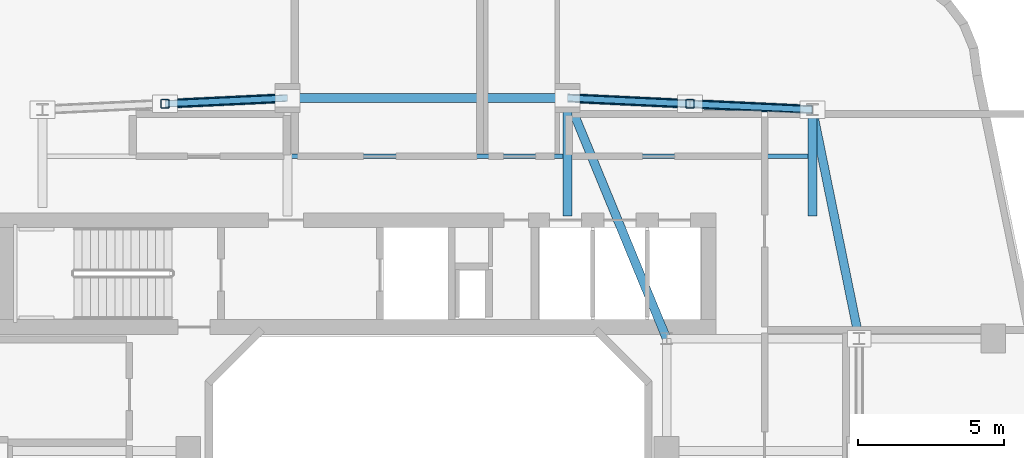
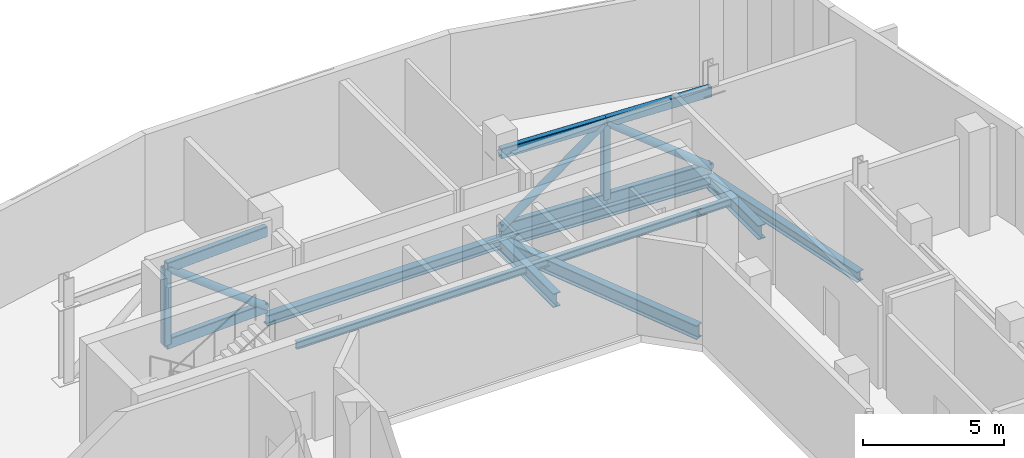
# One storey, part 5 of 18: 11 members, 8 beams.
"""IFC4 building model written with IfcOpenShell, lengths in metres."""

import ifcopenshell
import ifcopenshell.guid

model = None  # the IFC model being written
_history = None  # IfcOwnerHistory: only IFC2X3 demands one
_inside = {}  # id of a spatial element -> (the spatial element, [elements in it])
_under = {}  # id of a project, library or spatial element -> (it, [spatial elements below it])
_declared = {}  # id of a project -> (the project, [libraries it declares])
_typed = {}  # id of a type object -> (the type object, [elements of that type])
_made_of = {}  # id of a material, layer set ... -> (it, [elements and type objects made of it])


def new_model(schema):
    """Start an empty IFC model of exactly this schema.

    Asked for "IFC4X3", IfcOpenShell would pick the latest addendum, in which some entities
    have other attributes; the version numbers below select the first issue.
    IFC2X3 requires an IfcOwnerHistory on every rooted entity: one is made here for all.
    """
    global model, _history
    if schema == "IFC4X3":
        model = ifcopenshell.file(schema_version=(4, 3, 0, 0))
    else:
        model = ifcopenshell.file(schema=schema)
    _inside.clear()
    _under.clear()
    _declared.clear()
    _typed.clear()
    _made_of.clear()
    _history = None
    if model.schema == "IFC2X3":
        org = make("IfcOrganization", Name="unknown")
        user = make(
            "IfcPersonAndOrganization",
            ThePerson=make("IfcPerson", FamilyName="unknown"),
            TheOrganization=org,
        )
        app = make(
            "IfcApplication",
            ApplicationDeveloper=org,
            Version="unknown",
            ApplicationFullName="unknown",
            ApplicationIdentifier="unknown",
        )
        _history = make(
            "IfcOwnerHistory",
            OwningUser=user,
            OwningApplication=app,
            ChangeAction="ADDED",
            CreationDate=0,
        )
    return model


def make(cls, **values):
    """One entity of the class cls with the attributes given. An attribute that is None is left unset."""
    return model.create_entity(
        cls, **{name: value for name, value in values.items() if value is not None}
    )


def rooted(cls, **values):
    """An entity with a GlobalId (a new one), such as an element, a storey or a relation."""
    return make(cls, GlobalId=ifcopenshell.guid.new(), OwnerHistory=_history, **values)


def si_unit(unit_type, name, prefix=None):
    """IfcSIUnit, for example si_unit("LENGTHUNIT", "METRE", prefix="MILLI")."""
    return make("IfcSIUnit", UnitType=unit_type, Prefix=prefix, Name=name)


def derived_unit(unit_type, elements):
    """IfcDerivedUnit: a product of units, each with its exponent."""
    return make(
        "IfcDerivedUnit",
        Elements=[
            make("IfcDerivedUnitElement", Unit=unit, Exponent=power)
            for unit, power in elements
        ],
        UnitType=unit_type,
    )


def assignment(units):
    """IfcUnitAssignment: the units of a project."""
    return None if units is None else make("IfcUnitAssignment", Units=units)


def point(xyz):
    """IfcCartesianPoint."""
    return None if xyz is None else make("IfcCartesianPoint", Coordinates=xyz)


def direction(xyz):
    """IfcDirection."""
    return None if xyz is None else make("IfcDirection", DirectionRatios=xyz)


def frame(location, z_axis=None, x_axis=None):
    """IfcAxis2Placement3D, a coordinate frame: its origin and axes. An axis left out is left unset."""
    return make(
        "IfcAxis2Placement3D",
        Location=point(location),
        Axis=direction(z_axis),
        RefDirection=direction(x_axis),
    )


def frame_2d(location, x_axis=None):
    """IfcAxis2Placement2D, a coordinate frame in the plane: its origin and x axis."""
    return make(
        "IfcAxis2Placement2D", Location=point(location), RefDirection=direction(x_axis)
    )


def origin():
    """The frame at (0, 0, 0) with its axes left unset."""
    return frame((0.0, 0.0, 0.0))


def origin_2d():
    """The frame at (0, 0) in the plane with its x axis left unset."""
    return frame_2d((0.0, 0.0))


def place(relative_to, where):
    """IfcLocalPlacement: puts the frame where relative to a parent placement (None: the world)."""
    return make(
        "IfcLocalPlacement", PlacementRelTo=relative_to, RelativePlacement=where
    )


def context(
    kind, dimensions, precision=None, world=None, true_north=None, identifier=None
):
    """IfcGeometricRepresentationContext, for example the 3D "Model" context."""
    return make(
        "IfcGeometricRepresentationContext",
        ContextIdentifier=identifier,
        ContextType=kind,
        CoordinateSpaceDimension=dimensions,
        Precision=precision,
        WorldCoordinateSystem=world,
        TrueNorth=true_north,
    )


def subcontext(parent, identifier, kind, view, scale=None):
    """IfcGeometricRepresentationSubContext, for example "Body" below "Model"."""
    return make(
        "IfcGeometricRepresentationSubContext",
        ContextIdentifier=identifier,
        ContextType=kind,
        ParentContext=parent,
        TargetScale=scale,
        TargetView=view,
    )


def project(units=None, contexts=None):
    """IfcProject with its units and contexts."""
    return rooted(
        "IfcProject",
        Name="project",
        RepresentationContexts=contexts,
        UnitsInContext=assignment(units),
    )


def spatial(cls, under=None, at=None, **own):
    """A site, building, storey or space (cls), placed at a placement, below another one or the project."""
    s = rooted(cls, ObjectPlacement=at, **own)
    if under is not None:
        _under.setdefault(under.id(), (under, []))[1].append(s)
    return s


def profile(cls, at=None, kind="AREA", **sizes):
    """A parametric profile (cls). Its sizes go by their IFC names, for example OverallWidth=200.0."""
    return make(cls, ProfileType=kind, Position=at, **sizes)


def hollow_rectangle(**sizes):
    """IfcRectangleHollowProfileDef."""
    return profile("IfcRectangleHollowProfileDef", **sizes)


def hollow_circle(**sizes):
    """IfcCircleHollowProfileDef."""
    return profile("IfcCircleHollowProfileDef", **sizes)


def i_section(**sizes):
    """IfcIShapeProfileDef."""
    return profile("IfcIShapeProfileDef", **sizes)


def extrude(swept, where, along, depth):
    """IfcExtrudedAreaSolid: the profile swept, set in the frame where, extruded along a direction by depth."""
    return make(
        "IfcExtrudedAreaSolid",
        SweptArea=swept,
        Position=where,
        ExtrudedDirection=direction(along),
        Depth=depth,
    )


def shape(context_of_items, identifier, shape_type, items):
    """IfcShapeRepresentation: the items that make up one representation, for example the "Body"."""
    return make(
        "IfcShapeRepresentation",
        ContextOfItems=context_of_items,
        RepresentationIdentifier=identifier,
        RepresentationType=shape_type,
        Items=items,
    )


def material(Name=None, Category=None):
    """IfcMaterial."""
    return make("IfcMaterial", Name=Name, Category=Category)


def material_profile(
    of_material, cross_section, Name=None, Category=None, Priority=None
):
    """IfcMaterialProfile: a cross section and its material."""
    return make(
        "IfcMaterialProfile",
        Name=Name,
        Material=of_material,
        Profile=cross_section,
        Priority=Priority,
        Category=Category,
    )


def profile_set(profiles, Name=None, composite=None):
    """IfcMaterialProfileSet."""
    return make(
        "IfcMaterialProfileSet",
        Name=Name,
        MaterialProfiles=profiles,
        CompositeProfile=composite,
    )


def made_of(thing, what):
    """Note that an element or type object is made of a material, layer set ...; save() writes the relation."""
    if what is not None:
        _made_of.setdefault(what.id(), (what, []))[1].append(thing)
    return thing


def type_object(cls, material=None, **own):
    """A type object (cls), such as IfcWallType, which elements share."""
    return made_of(rooted(cls, **own), material)


def element(
    cls,
    number,
    at=None,
    inside=None,
    cuts=None,
    type_object=None,
    material=None,
    context=None,
    identifier="Body",
    shape_type=None,
    held_by="IfcProductDefinitionShape",
    body=None,
    shapes=None,
    **own,
):
    """One element of the class cls, such as IfcWall. Its Tag is "e" and its number.

    at: its placement. inside: the storey or other place that contains it. cuts: it is an
    opening in that element (IfcRelVoidsElement). A single representation is given by context,
    identifier, shape_type and body (its items); several are given by shapes. held_by: the class
    of the entity that holds the representations. save() writes the other relations.
    """
    e = rooted(cls, Tag="e%d" % number, ObjectPlacement=at, **own)
    if body is not None:
        shapes = [shape(context, identifier, shape_type, body)]
    if shapes is not None:
        e.Representation = make(held_by, Representations=shapes)
    if inside is not None:
        _inside.setdefault(inside.id(), (inside, []))[1].append(e)
    if cuts is not None:
        rooted(
            "IfcRelVoidsElement", RelatingBuildingElement=cuts, RelatedOpeningElement=e
        )
    if type_object is not None:
        _typed.setdefault(type_object.id(), (type_object, []))[1].append(e)
    return made_of(e, material)


def aggregate(whole, parts):
    """IfcRelAggregates: a whole, such as a stair, and the parts it consists of."""
    return rooted("IfcRelAggregates", RelatingObject=whole, RelatedObjects=parts)


def save(model, path):
    """Write the relations noted so far, then the file.

    IfcRelAggregates (storeys below a building ...), IfcRelContainedInSpatialStructure (elements
    in a storey), IfcRelDefinesByType, IfcRelAssociatesMaterial and IfcRelDeclares: one each for
    every whole, place, type object, material and project.
    """
    for whole, parts in _under.values():
        aggregate(whole, parts)
    for where, things in _inside.values():
        rooted(
            "IfcRelContainedInSpatialStructure",
            RelatedElements=things,
            RelatingStructure=where,
        )
    for kind, things in _typed.values():
        rooted("IfcRelDefinesByType", RelatedObjects=things, RelatingType=kind)
    for what, things in _made_of.values():
        rooted("IfcRelAssociatesMaterial", RelatedObjects=things, RelatingMaterial=what)
    for by, libraries in _declared.values():
        rooted("IfcRelDeclares", RelatingContext=by, RelatedDefinitions=libraries)
    model.write(path)


model = new_model("IFC4")

# Units and contexts
model_context = context("Model", 3, precision=1e-05, world=origin(), true_north=direction((0.0, 1.0)))
body_context = subcontext(model_context, "Body", "Model", "MODEL_VIEW")
ifc_project = project(units=[si_unit("LENGTHUNIT", "METRE"), si_unit("AREAUNIT", "SQUARE_METRE"), si_unit("VOLUMEUNIT", "CUBIC_METRE"), si_unit("PLANEANGLEUNIT", "RADIAN"), si_unit("MASSUNIT", "GRAM", prefix="KILO"), derived_unit("THERMALTRANSMITTANCEUNIT", [(si_unit("POWERUNIT", "WATT"), 1), (si_unit("LENGTHUNIT", "METRE"), -2), (si_unit("THERMODYNAMICTEMPERATUREUNIT", "KELVIN"), -1)])], contexts=[model_context])

# Site, building, storey
site_placement = place(None, origin())
site = spatial("IfcSite", under=ifc_project, at=site_placement, CompositionType="ELEMENT")
building_placement = place(site_placement, origin())
building = spatial("IfcBuilding", under=site, at=building_placement, Name="Kivonza Crest Hotel", CompositionType="ELEMENT")
storey_placement = place(building_placement, frame((0.0, 0.0, 90.5)))
storey = spatial("IfcBuildingStorey", under=building, at=storey_placement, Name="L24", CompositionType="ELEMENT", Elevation=90.5)

# Beams
ifc_material = material(Name="Steel S355", Category="steel")
ifc_material_profile_1 = material_profile(ifc_material, i_section(OverallWidth=0.300048828125, OverallDepth=0.449951171875, WebThickness=0.013916015625, FlangeThickness=0.02587890625, FilletRadius=0.027099609375, at=origin_2d()), Name="HEB 450")
ifc_profile_set_1 = profile_set([ifc_material_profile_1], Name="Steel S355")
beam_type_1 = type_object("IfcBeamType", Name="BM-HEB450", PredefinedType="SPANDREL", material=ifc_profile_set_1)
beam_1_placement = place(storey_placement, frame((35.800048828125, 32.35009765625, -0.544921875), z_axis=(-0.199730733965, 0.979850822273, 0.0), x_axis=(-0.979850822273, -0.199730733965, 0.0)))
element("IfcBeam", 1, at=beam_1_placement, inside=storey, type_object=beam_type_1, Name="Tower T1 L24 perimeter spandrel PNE-NE", PredefinedType="SPANDREL", context=body_context, shape_type="SweptSolid", body=[
    extrude(i_section(OverallWidth=0.300048828125, OverallDepth=0.449951171875, WebThickness=0.013916015625, FlangeThickness=0.02587890625, FilletRadius=0.027099609375, at=origin_2d()), origin(), (0.0, 0.0, 1.0), 8.01123046875),
])
beam_2_placement = place(storey_placement, frame((34.199951171875, 40.199951171875, -0.544921875), z_axis=(-0.998867283688, 0.047583080799, 0.0), x_axis=(-0.047583080799, -0.998867283688, 0.0)))
element("IfcBeam", 2, at=beam_2_placement, inside=storey, type_object=beam_type_1, Name="Tower T1 L24 perimeter spandrel NE-N2", PredefinedType="SPANDREL", context=body_context, shape_type="SweptSolid", body=[
    extrude(i_section(OverallWidth=0.300048828125, OverallDepth=0.449951171875, WebThickness=0.013916015625, FlangeThickness=0.02587890625, FilletRadius=0.027099609375, at=origin_2d()), origin(), (0.0, 0.0, 1.0), 8.409423828125),
])
beam_3_placement = place(storey_placement, frame((25.800048828125, 40.60009765625, -0.544921875), z_axis=(-1.0, 0.0, 0.0), x_axis=(0.0, -1.0, 0.0)))
element("IfcBeam", 3, at=beam_3_placement, inside=storey, type_object=beam_type_1, Name="Tower T1 L24 perimeter spandrel N2-N1", PredefinedType="SPANDREL", context=body_context, shape_type="SweptSolid", body=[
    extrude(i_section(OverallWidth=0.300048828125, OverallDepth=0.449951171875, WebThickness=0.013916015625, FlangeThickness=0.02587890625, FilletRadius=0.027099609375, at=origin_2d()), origin(), (0.0, 0.0, 1.0), 9.60009765625),
])
ifc_material_profile_2 = material_profile(ifc_material, i_section(OverallWidth=0.300048828125, OverallDepth=0.60009765625, WebThickness=0.015380859375, FlangeThickness=0.030029296875, FilletRadius=0.027099609375, at=origin_2d()), Name="HEB 600")
ifc_profile_set_2 = profile_set([ifc_material_profile_2], Name="Steel S355")
beam_type_2 = type_object("IfcBeamType", Name="BM-HEB600", PredefinedType="BEAM", material=ifc_profile_set_2)
beam_4_placement = place(storey_placement, frame((25.800048828125, 40.60009765625, -0.6201171875), z_axis=(0.381022260404, -0.924565864109, 0.0), x_axis=(0.924565864109, 0.381022260404, 0.0)))
element("IfcBeam", 4, at=beam_4_placement, inside=storey, type_object=beam_type_2, Name="Tower T1 L24 primary girder N1-TNE", PredefinedType="BEAM", context=body_context, shape_type="SweptSolid", body=[
    extrude(i_section(OverallWidth=0.300048828125, OverallDepth=0.60009765625, WebThickness=0.015380859375, FlangeThickness=0.030029296875, FilletRadius=0.027099609375, at=origin_2d()), origin(), (0.0, 0.0, 1.0), 8.923095703125),
])
beam_5_placement = place(storey_placement, frame((25.800048828125, 40.60009765625, -0.6201171875), z_axis=(0.0, -1.0, 0.0), x_axis=(1.0, 0.0, 0.0)))
element("IfcBeam", 5, at=beam_5_placement, inside=storey, type_object=beam_type_2, Name="Tower T1 L24 radial core girder RN2", PredefinedType="BEAM", context=body_context, shape_type="SweptSolid", body=[
    extrude(i_section(OverallWidth=0.300048828125, OverallDepth=0.60009765625, WebThickness=0.015380859375, FlangeThickness=0.030029296875, FilletRadius=0.027099609375, at=origin_2d()), origin(), (0.0, 0.0, 1.0), 4.050048828125),
])
beam_6_placement = place(storey_placement, frame((34.199951171875, 40.199951171875, -0.6201171875), z_axis=(0.0, -1.0, 0.0), x_axis=(1.0, 0.0, 0.0)))
element("IfcBeam", 6, at=beam_6_placement, inside=storey, type_object=beam_type_2, Name="Tower T1 L24 radial core girder RNE", PredefinedType="BEAM", context=body_context, shape_type="SweptSolid", body=[
    extrude(i_section(OverallWidth=0.300048828125, OverallDepth=0.60009765625, WebThickness=0.015380859375, FlangeThickness=0.030029296875, FilletRadius=0.027099609375, at=origin_2d()), origin(), (0.0, 0.0, 1.0), 3.64990234375),
])
ifc_material_profile_3 = material_profile(ifc_material, i_section(OverallWidth=0.159912109375, OverallDepth=0.330078125, WebThickness=0.007568359375, FlangeThickness=0.011474609375, FilletRadius=0.01806640625, at=origin_2d()), Name="IPE 330")
ifc_profile_set_3 = profile_set([ifc_material_profile_3], Name="Steel S355")
beam_type_3 = type_object("IfcBeamType", Name="BM-IPE330", PredefinedType="JOIST", material=ifc_profile_set_3)
beam_7_placement = place(storey_placement, frame((16.280029296875, 38.60009765625, -0.485107421875), z_axis=(1.0, 0.0, 0.0), x_axis=(0.0, 1.0, 0.0)))
element("IfcBeam", 7, at=beam_7_placement, inside=storey, type_object=beam_type_3, Name="Tower T1 L24 North-Mid floor joist", PredefinedType="JOIST", context=body_context, shape_type="SweptSolid", body=[
    extrude(i_section(OverallWidth=0.159912109375, OverallDepth=0.330078125, WebThickness=0.007568359375, FlangeThickness=0.011474609375, FilletRadius=0.01806640625, at=origin_2d()), origin(), (0.0, 0.0, 1.0), 9.43994140625),
])
beam_8_placement = place(storey_placement, frame((25.8798828125, 38.60009765625, -0.485107421875), z_axis=(1.0, 0.0, 0.0), x_axis=(0.0, 1.0, 0.0)))
element("IfcBeam", 8, at=beam_8_placement, inside=storey, type_object=beam_type_3, Name="Tower T1 L24 North-East floor joist", PredefinedType="JOIST", context=body_context, shape_type="SweptSolid", body=[
    extrude(i_section(OverallWidth=0.159912109375, OverallDepth=0.330078125, WebThickness=0.007568359375, FlangeThickness=0.011474609375, FilletRadius=0.01806640625, at=origin_2d()), origin(), (0.0, 0.0, 1.0), 8.240234375),
])

# Members
ifc_material_profile_4 = material_profile(ifc_material, hollow_circle(Radius=0.161865234375, WallThickness=0.01611328125, at=origin_2d()), Name="CHS 323.9x16")
ifc_profile_set_4 = profile_set([ifc_material_profile_4], Name="Steel S355")
member_type_1 = type_object("IfcMemberType", Name="MB-BRACE-CHS324", PredefinedType="BRACE", material=ifc_profile_set_4)
for number, where, z_axis, x_axis, name in (
    (9, (16.199951171875, 40.60009765625, 0.0), (-0.785758694228, -0.037454056227, 0.617398143921), (0.047612046782, -0.998865903413, 0.0), "Outrigger truss L24 NW diagonal brace 1"),
    (10, (25.800048828125, 40.60009765625, 0.0), (0.785758694228, -0.037454056227, 0.617398143921), (0.047612046782, 0.998865903413, 0.0), "Outrigger truss L24 NE diagonal brace 1"),
    (11, (30.0, 40.39990234375, 3.300048828125), (0.78576003764, -0.037408444505, -0.617399199487), (0.047554114695, 0.998868663126, 0.0), "Outrigger truss L24 NE diagonal brace 2"),
):
    element("IfcMember", number, at=place(storey_placement, frame(where, z_axis=z_axis, x_axis=x_axis)), inside=storey, type_object=member_type_1, Name=name, PredefinedType="BRACE", context=body_context, shape_type="SweptSolid", body=[
        extrude(hollow_circle(Radius=0.161865234375, WallThickness=0.01611328125, at=origin_2d()), origin(), (0.0, 0.0, 1.0), 5.344970703125),
    ])
ifc_material_profile_5 = material_profile(ifc_material, hollow_rectangle(XDim=0.25, YDim=0.449951171875, WallThickness=0.01611328125, InnerFilletRadius=0.02392578125, OuterFilletRadius=0.0400390625, at=origin_2d()), Name="RHS 450x250x16")
ifc_profile_set_5 = profile_set([ifc_material_profile_5], Name="Steel S355")
member_type_2 = type_object("IfcMemberType", Name="MB-CHORD-RHS450", PredefinedType="CHORD", material=ifc_profile_set_5)
for number, where, z_axis, x_axis, name in (
    (12, (16.199951171875, 40.60009765625, 0.0), (-0.998865903413, -0.047612046782, 0.0), (0.047612046782, -0.998865903413, 0.0), "Outrigger truss L24 NW bottom chord 1"),
    (13, (16.199951171875, 40.60009765625, 3.300048828125), (-0.998865903413, -0.047612046782, 0.0), (0.047612046782, -0.998865903413, 0.0), "Outrigger truss L24 NW top chord 1"),
    (14, (25.800048828125, 40.60009765625, 0.0), (0.998865903413, -0.047612046782, 0.0), (0.047612046782, 0.998865903413, 0.0), "Outrigger truss L24 NE bottom chord 1"),
    (15, (25.800048828125, 40.60009765625, 3.300048828125), (0.998865903413, -0.047612046782, 0.0), (0.047612046782, 0.998865903413, 0.0), "Outrigger truss L24 NE top chord 1"),
):
    element("IfcMember", number, at=place(storey_placement, frame(where, z_axis=z_axis, x_axis=x_axis)), inside=storey, type_object=member_type_2, Name=name, PredefinedType="CHORD", context=body_context, shape_type="SweptSolid", body=[
        extrude(hollow_rectangle(XDim=0.25, YDim=0.449951171875, WallThickness=0.01611328125, InnerFilletRadius=0.02392578125, OuterFilletRadius=0.0400390625, at=origin_2d()), origin(), (0.0, 0.0, 1.0), 4.204833984375),
    ])
for number, where, z_axis, x_axis, name in (
    (16, (30.0, 40.39990234375, 0.0), (0.998868663126, -0.047554114695, 0.0), (0.047554114695, 0.998868663126, 0.0), "Outrigger truss L24 NE bottom chord 2"),
    (17, (30.0, 40.39990234375, 3.300048828125), (0.998868663126, -0.047554114695, 0.0), (0.047554114695, 0.998868663126, 0.0), "Outrigger truss L24 NE top chord 2"),
):
    element("IfcMember", number, at=place(storey_placement, frame(where, z_axis=z_axis, x_axis=x_axis)), inside=storey, type_object=member_type_2, Name=name, PredefinedType="CHORD", context=body_context, shape_type="SweptSolid", body=[
        extrude(hollow_rectangle(XDim=0.25, YDim=0.449951171875, WallThickness=0.01611328125, InnerFilletRadius=0.02392578125, OuterFilletRadius=0.0400390625, at=origin_2d()), origin(), (0.0, 0.0, 1.0), 4.20458984375),
    ])
ifc_material_profile_6 = material_profile(ifc_material, hollow_rectangle(XDim=0.300048828125, YDim=0.300048828125, WallThickness=0.01611328125, InnerFilletRadius=0.02392578125, OuterFilletRadius=0.0400390625, at=origin_2d()), Name="SHS 300x300x16")
ifc_profile_set_6 = profile_set([ifc_material_profile_6], Name="Steel S355")
member_type_3 = type_object("IfcMemberType", Name="MB-POST-SHS300", PredefinedType="POST", material=ifc_profile_set_6)
for number, where, z_axis, x_axis, name in (
    (18, (12.0, 40.39990234375, 0.0), (0.0, 0.0, 1.0), (1.0, 0.0, 0.0), "Outrigger truss L24 NW vertical post 2"),
    (19, (30.0, 40.39990234375, 0.0), (0.0, 0.0, 1.0), (1.0, 0.0, 0.0), "Outrigger truss L24 NE vertical post 2"),
):
    element("IfcMember", number, at=place(storey_placement, frame(where, z_axis=z_axis, x_axis=x_axis)), inside=storey, type_object=member_type_3, Name=name, PredefinedType="POST", context=body_context, shape_type="SweptSolid", body=[
        extrude(hollow_rectangle(XDim=0.300048828125, YDim=0.300048828125, WallThickness=0.01611328125, InnerFilletRadius=0.02392578125, OuterFilletRadius=0.0400390625, at=origin_2d()), origin(), (0.0, 0.0, 1.0), 3.300048828125),
    ])

save(model, "model.ifc")
